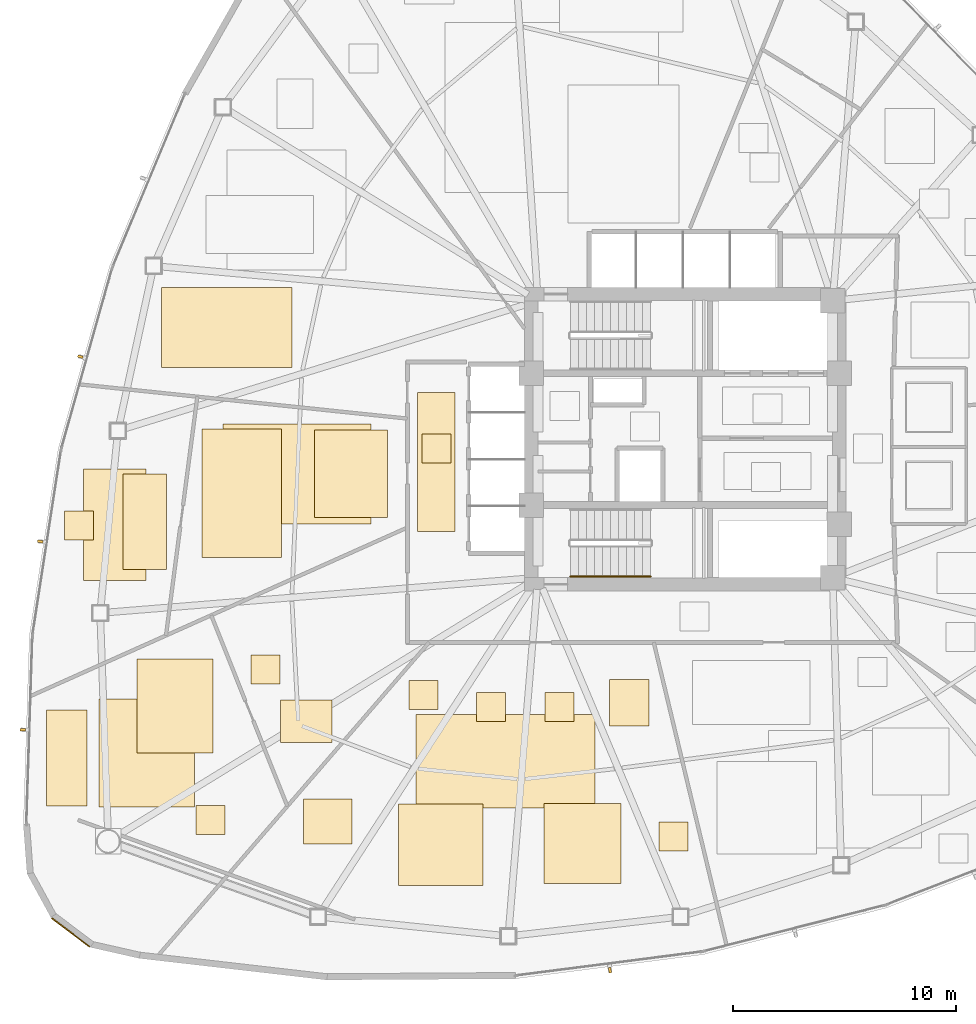
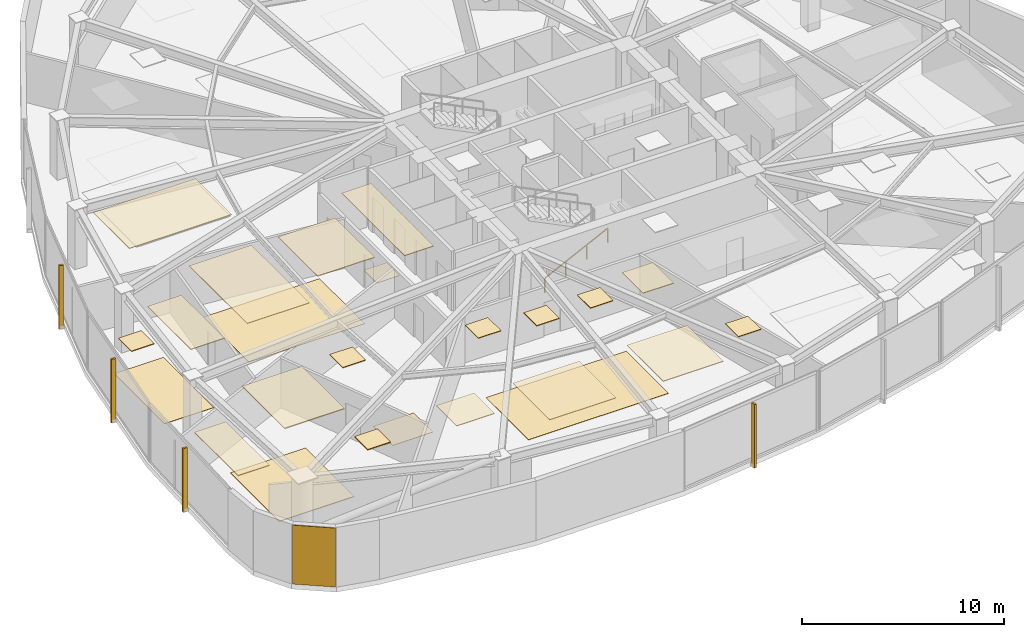
# One storey, part 14 of 17: 25 coverings, 4 shading devices, 1 railing.
"""IFC4 building model written with IfcOpenShell, lengths in metres."""

from ifc_helpers import new_model, si_unit, direction, frame, origin, origin_2d, place, context, subcontext, project, spatial, polyline, rectangle, outline, extrude, source, transform, mapped, material, layer, layer_set, type_object, type_shapes, element, save


model = new_model("IFC4")

# Units and contexts
model_context = context("Model", 3, precision=1e-05, world=origin(), true_north=direction((0.0, 1.0)))
body_context = subcontext(model_context, "Body", "Model", "MODEL_VIEW")
ifc_project = project(units=[si_unit("LENGTHUNIT", "METRE"), si_unit("AREAUNIT", "SQUARE_METRE"), si_unit("VOLUMEUNIT", "CUBIC_METRE"), si_unit("PLANEANGLEUNIT", "RADIAN"), si_unit("MASSUNIT", "GRAM", prefix="KILO")], contexts=[model_context])

# Site, building, storey
site_placement = place(None, origin())
site = spatial("IfcSite", under=ifc_project, at=site_placement, CompositionType="ELEMENT")
building_placement = place(site_placement, origin())
building = spatial("IfcBuilding", under=site, at=building_placement, Name="Tavelor Broadcast Tower", CompositionType="ELEMENT")
storey_placement = place(building_placement, frame((0.0, 0.0, 70.5)))
storey = spatial("IfcBuildingStorey", under=building, at=storey_placement, Name="L16", CompositionType="ELEMENT", Elevation=70.5)

# Covering
ifc_material_1 = material(Name="Copper-Bronze Anodized Aluminium", Category="aluminium")
ifc_layer_1 = layer(ifc_material_1, 0.050048828125)
ifc_layer_set_1 = layer_set([ifc_layer_1], Name="Copper-Bronze Anodized Aluminium")
covering_type_1 = type_object("IfcCoveringType", Name="Champagne-Bronze Corner Pier Metal Cladding 50 mm", PredefinedType="CLADDING", material=ifc_layer_set_1)
covering_1_placement = place(storey_placement, frame((22.474609375, 22.912109375, 0.02001953125), z_axis=(0.0, 0.0, 1.0), x_axis=(0.798110023334, -0.602511734868, 0.0)))
element("IfcCovering", 1, at=covering_1_placement, inside=storey, type_object=covering_type_1, Name="L16 Champagne-Bronze Corner Cladding 13", PredefinedType="CLADDING", context=body_context, shape_type="SweptSolid", body=[
    extrude(rectangle(XDim=2.1240234375, YDim=0.050048828125, at=origin_2d()), origin(), (0.0, 0.0, 1.0), 3.56005859375),
])

# Railing
ifc_material_2 = material(Name="Steel S355", Category="steel")
railing_type = type_object("IfcRailingType", Name="Continuous Brushed Stainless Handrail 900 mm", PredefinedType="HANDRAIL", material=ifc_material_2)
railing_placement = place(storey_placement, frame((44.85009765625, 38.85009765625, 0.17724609375)))
element("IfcRailing", 2, at=railing_placement, inside=storey, type_object=railing_type, Name="L16 ST2 stair handrail 1", PredefinedType="HANDRAIL", context=body_context, shape_type="SweptSolid", body=[
    extrude(rectangle(XDim=0.048095703125, YDim=0.048095703125, at=origin_2d()), frame((0.0, 0.0, 0.8759765625), z_axis=(0.897124305991, 0.0, 0.441778201817), x_axis=(0.0, 1.0, 0.0)), (0.0, 0.0, 1.0), 4.0126953125),
    extrude(rectangle(XDim=0.0419921875, YDim=0.0419921875, at=origin_2d()), origin(), (0.0, 0.0, 1.0), 0.851806640625),
    extrude(rectangle(XDim=0.0419921875, YDim=0.0419921875, at=origin_2d()), frame((1.199951171875, 0.0, 0.5908203125)), (0.0, 0.0, 1.0), 0.851806640625),
    extrude(rectangle(XDim=0.0419921875, YDim=0.0419921875, at=origin_2d()), frame((2.39990234375, 0.0, 1.181884765625)), (0.0, 0.0, 1.0), 0.851806640625),
    extrude(rectangle(XDim=0.0419921875, YDim=0.0419921875, at=origin_2d()), frame((3.599853515625, 0.0, 1.772705078125)), (0.0, 0.0, 1.0), 0.851806640625),
])

# Coverings
ifc_material_3 = material(Name="Architectural Anodized Aluminium", Category="aluminium")
ifc_layer_2 = layer(ifc_material_3, 0.034912109375)
ifc_layer_set_2 = layer_set([ifc_layer_2], Name="Architectural Anodized Aluminium")
covering_type_2 = type_object("IfcCoveringType", Name="Demountable Metal Tile Corridor Ceiling 35 mm", PredefinedType="CEILING", material=ifc_layer_set_2)
covering_2_placement = place(storey_placement, frame((0.0, 0.0, 3.56494140625)))
element("IfcCovering", 3, at=covering_2_placement, inside=storey, type_object=covering_type_2, Name="L16 Suspended Acoustic Ceiling 0642", PredefinedType="CEILING", context=body_context, shape_type="SweptSolid", body=[
    extrude(outline(polyline([(38.01611328125, 40.868896484375), (39.683837890625, 40.868896484375), (39.683837890625, 47.096923828125), (38.01611328125, 47.096923828125), (38.01611328125, 40.868896484375)])), origin(), (0.0, 0.0, 1.0), 0.03515625),
])
ifc_material_4 = material(Name="Acoustic Nylon Carpet Tile")
ifc_layer_3 = layer(ifc_material_4, 0.02001953125)
ifc_layer_set_3 = layer_set([ifc_layer_3], Name="Acoustic Nylon Carpet Tile")
covering_type_3 = type_object("IfcCoveringType", Name="Heavy-Duty Acoustic Broadcast Carpet Tile 20 mm", PredefinedType="FLOORING", material=ifc_layer_set_3)
covering_3_placement = place(storey_placement, origin())
element("IfcCovering", 4, at=covering_3_placement, inside=storey, type_object=covering_type_3, Name="L16 Broadcast Floor Finish 0222", PredefinedType="FLOORING", context=body_context, shape_type="SweptSolid", body=[
    extrude(outline(polyline([(38.199951171875, 43.925048828125), (39.5, 43.925048828125), (39.5, 45.22509765625), (38.199951171875, 45.22509765625), (38.199951171875, 43.925048828125)])), origin(), (0.0, 0.0, 1.0), 0.02001953125),
])
covering_4_placement = place(storey_placement, origin())
element("IfcCovering", 5, at=covering_4_placement, inside=storey, type_object=covering_type_3, Name="L16 Broadcast Floor Finish 0225", PredefinedType="FLOORING", context=body_context, shape_type="SweptSolid", body=[
    extrude(outline(polyline([(37.936279296875, 28.48291015625), (45.946533203125, 28.48291015625), (45.946533203125, 32.677001953125), (37.936279296875, 32.677001953125), (37.936279296875, 28.48291015625)])), origin(), (0.0, 0.0, 1.0), 0.02001953125),
])
covering_5_placement = place(storey_placement, origin())
element("IfcCovering", 6, at=covering_5_placement, inside=storey, type_object=covering_type_3, Name="L16 Broadcast Floor Finish 0227", PredefinedType="FLOORING", context=body_context, shape_type="SweptSolid", body=[
    extrude(outline(polyline([(23.038818359375, 38.671875), (25.849365234375, 38.671875), (25.849365234375, 43.66650390625), (23.038818359375, 43.66650390625), (23.038818359375, 38.671875)])), origin(), (0.0, 0.0, 1.0), 0.02001953125),
])
covering_6_placement = place(storey_placement, origin())
element("IfcCovering", 7, at=covering_6_placement, inside=storey, type_object=covering_type_3, Name="L16 Broadcast Floor Finish 0234", PredefinedType="FLOORING", context=body_context, shape_type="SweptSolid", body=[
    extrude(outline(polyline([(31.8720703125, 31.407958984375), (34.182373046875, 31.407958984375), (34.182373046875, 33.330322265625), (31.8720703125, 33.330322265625), (31.8720703125, 31.407958984375)])), origin(), (0.0, 0.0, 1.0), 0.02001953125),
])
covering_7_placement = place(storey_placement, origin())
element("IfcCovering", 8, at=covering_7_placement, inside=storey, type_object=covering_type_3, Name="L16 Broadcast Floor Finish 0235", PredefinedType="FLOORING", context=body_context, shape_type="SweptSolid", body=[
    extrude(outline(polyline([(29.3017578125, 41.197265625), (35.93359375, 41.197265625), (35.93359375, 45.68408203125), (29.3017578125, 45.68408203125), (29.3017578125, 41.197265625)])), origin(), (0.0, 0.0, 1.0), 0.02001953125),
])
ifc_material_5 = material(Name="Acoustic Hardwood Studio Flooring", Category="wood")
ifc_layer_4 = layer(ifc_material_5, 0.034912109375)
ifc_layer_set_4 = layer_set([ifc_layer_4], Name="Acoustic Hardwood Studio Flooring")
covering_type_4 = type_object("IfcCoveringType", Name="Isolated Studio Acoustic Elastomeric Floor Finish 35 mm", PredefinedType="FLOORING", material=ifc_layer_set_4)
covering_8_placement = place(storey_placement, origin())
element("IfcCovering", 9, at=covering_8_placement, inside=storey, type_object=covering_type_4, Name="L16 Broadcast Floor Finish 0226", PredefinedType="FLOORING", context=body_context, shape_type="SweptSolid", body=[
    extrude(outline(polyline([(23.736572265625, 28.535888671875), (28.026123046875, 28.535888671875), (28.026123046875, 33.35986328125), (23.736572265625, 33.35986328125), (23.736572265625, 28.535888671875)])), origin(), (0.0, 0.0, 1.0), 0.034912109375),
])
ifc_material_6 = material(Name="Acoustic Perforated Timber Baffle", Category="wood")
ifc_layer_5 = layer(ifc_material_6, 0.054931640625)
ifc_layer_set_5 = layer_set([ifc_layer_5], Name="Acoustic Perforated Timber Baffle")
covering_type_5 = type_object("IfcCoveringType", Name="Micro-Perforated Acoustic Baffle Studio Ceiling 55 mm", PredefinedType="CEILING", material=ifc_layer_set_5)
covering_9_placement = place(storey_placement, frame((0.0, 0.0, 3.544921875)))
element("IfcCovering", 10, at=covering_9_placement, inside=storey, type_object=covering_type_5, Name="L16 Suspended Acoustic Ceiling 0653", PredefinedType="CEILING", context=body_context, shape_type="SweptSolid", body=[
    extrude(outline(polyline([(21.402099609375, 28.566650390625), (23.202880859375, 28.566650390625), (23.202880859375, 32.8828125), (21.402099609375, 32.8828125), (21.402099609375, 28.566650390625)])), origin(), (0.0, 0.0, 1.0), 0.05517578125),
])
covering_10_placement = place(storey_placement, frame((0.0, 0.0, 3.544921875)))
element("IfcCovering", 11, at=covering_10_placement, inside=storey, type_object=covering_type_5, Name="L16 Suspended Acoustic Ceiling 0654", PredefinedType="CEILING", context=body_context, shape_type="SweptSolid", body=[
    extrude(outline(polyline([(25.435546875, 30.94287109375), (28.85498046875, 30.94287109375), (28.85498046875, 35.146484375), (25.435546875, 35.146484375), (25.435546875, 30.94287109375)])), origin(), (0.0, 0.0, 1.0), 0.05517578125),
])
covering_11_placement = place(storey_placement, frame((0.0, 0.0, 3.544921875)))
element("IfcCovering", 12, at=covering_11_placement, inside=storey, type_object=covering_type_5, Name="L16 Suspended Acoustic Ceiling 0655", PredefinedType="CEILING", context=body_context, shape_type="SweptSolid", body=[
    extrude(outline(polyline([(28.07861328125, 27.29931640625), (29.37841796875, 27.29931640625), (29.37841796875, 28.59912109375), (28.07861328125, 28.59912109375), (28.07861328125, 27.29931640625)])), origin(), (0.0, 0.0, 1.0), 0.05517578125),
])
ifc_material_7 = material(Name="Acoustic Mineral Fibre Tile")
ifc_layer_6 = layer(ifc_material_7, 0.0400390625)
ifc_layer_set_6 = layer_set([ifc_layer_6], Name="Acoustic Mineral Fibre Tile")
covering_type_6 = type_object("IfcCoveringType", Name="Suspended Acoustic Mineral-Fibre Office Ceiling 40 mm", PredefinedType="CEILING", material=ifc_layer_set_6)
covering_12_placement = place(storey_placement, frame((0.0, 0.0, 3.56005859375)))
element("IfcCovering", 13, at=covering_12_placement, inside=storey, type_object=covering_type_6, Name="L16 Suspended Acoustic Ceiling 0645", PredefinedType="CEILING", context=body_context, shape_type="SweptSolid", body=[
    extrude(outline(polyline([(32.90576171875, 26.869873046875), (35.0625, 26.869873046875), (35.0625, 28.89208984375), (32.90576171875, 28.89208984375), (32.90576171875, 26.869873046875)])), origin(), (0.0, 0.0, 1.0), 0.0400390625),
])
covering_13_placement = place(storey_placement, frame((0.0, 0.0, 3.56005859375)))
element("IfcCovering", 14, at=covering_13_placement, inside=storey, type_object=covering_type_6, Name="L16 Suspended Acoustic Ceiling 0646", PredefinedType="CEILING", context=body_context, shape_type="SweptSolid", body=[
    extrude(outline(polyline([(37.61572265625, 32.88720703125), (38.915771484375, 32.88720703125), (38.915771484375, 34.187255859375), (37.61572265625, 34.187255859375), (37.61572265625, 32.88720703125)])), origin(), (0.0, 0.0, 1.0), 0.0400390625),
])
covering_14_placement = place(storey_placement, frame((0.0, 0.0, 3.56005859375)))
element("IfcCovering", 15, at=covering_14_placement, inside=storey, type_object=covering_type_6, Name="L16 Suspended Acoustic Ceiling 0647", PredefinedType="CEILING", context=body_context, shape_type="SweptSolid", body=[
    extrude(outline(polyline([(40.65380859375, 32.362548828125), (41.95361328125, 32.362548828125), (41.95361328125, 33.66259765625), (40.65380859375, 33.66259765625), (40.65380859375, 32.362548828125)])), origin(), (0.0, 0.0, 1.0), 0.0400390625),
])
covering_15_placement = place(storey_placement, frame((0.0, 0.0, 3.56005859375)))
element("IfcCovering", 16, at=covering_15_placement, inside=storey, type_object=covering_type_6, Name="L16 Suspended Acoustic Ceiling 0648", PredefinedType="CEILING", context=body_context, shape_type="SweptSolid", body=[
    extrude(outline(polyline([(43.7197265625, 32.3623046875), (45.019775390625, 32.3623046875), (45.019775390625, 33.662353515625), (43.7197265625, 33.662353515625), (43.7197265625, 32.3623046875)])), origin(), (0.0, 0.0, 1.0), 0.0400390625),
])
covering_16_placement = place(storey_placement, frame((0.0, 0.0, 3.56005859375)))
element("IfcCovering", 17, at=covering_16_placement, inside=storey, type_object=covering_type_6, Name="L16 Suspended Acoustic Ceiling 0649", PredefinedType="CEILING", context=body_context, shape_type="SweptSolid", body=[
    extrude(outline(polyline([(46.609130859375, 32.1669921875), (48.36865234375, 32.1669921875), (48.36865234375, 34.22900390625), (46.609130859375, 34.22900390625), (46.609130859375, 32.1669921875)])), origin(), (0.0, 0.0, 1.0), 0.0400390625),
])
covering_17_placement = place(storey_placement, frame((0.0, 0.0, 3.56005859375)))
element("IfcCovering", 18, at=covering_17_placement, inside=storey, type_object=covering_type_6, Name="L16 Suspended Acoustic Ceiling 0650", PredefinedType="CEILING", context=body_context, shape_type="SweptSolid", body=[
    extrude(outline(polyline([(48.818359375, 26.5595703125), (50.118408203125, 26.5595703125), (50.118408203125, 27.859619140625), (48.818359375, 27.859619140625), (48.818359375, 26.5595703125)])), origin(), (0.0, 0.0, 1.0), 0.0400390625),
])
covering_18_placement = place(storey_placement, frame((0.0, 0.0, 3.56005859375)))
element("IfcCovering", 19, at=covering_18_placement, inside=storey, type_object=covering_type_6, Name="L16 Suspended Acoustic Ceiling 0651", PredefinedType="CEILING", context=body_context, shape_type="SweptSolid", body=[
    extrude(outline(polyline([(37.154052734375, 25.02197265625), (40.943603515625, 25.02197265625), (40.943603515625, 28.668701171875), (37.154052734375, 28.668701171875), (37.154052734375, 25.02197265625)])), origin(), (0.0, 0.0, 1.0), 0.0400390625),
])
covering_19_placement = place(storey_placement, frame((0.0, 0.0, 3.56005859375)))
element("IfcCovering", 20, at=covering_19_placement, inside=storey, type_object=covering_type_6, Name="L16 Suspended Acoustic Ceiling 0652", PredefinedType="CEILING", context=body_context, shape_type="SweptSolid", body=[
    extrude(outline(polyline([(43.6826171875, 25.096435546875), (47.12646484375, 25.096435546875), (47.12646484375, 28.68408203125), (43.6826171875, 28.68408203125), (43.6826171875, 25.096435546875)])), origin(), (0.0, 0.0, 1.0), 0.0400390625),
])
covering_20_placement = place(storey_placement, frame((0.0, 0.0, 3.56005859375)))
element("IfcCovering", 21, at=covering_20_placement, inside=storey, type_object=covering_type_6, Name="L16 Suspended Acoustic Ceiling 0656", PredefinedType="CEILING", context=body_context, shape_type="SweptSolid", body=[
    extrude(outline(polyline([(22.196533203125, 40.487548828125), (23.49658203125, 40.487548828125), (23.49658203125, 41.78759765625), (22.196533203125, 41.78759765625), (22.196533203125, 40.487548828125)])), origin(), (0.0, 0.0, 1.0), 0.0400390625),
])
covering_21_placement = place(storey_placement, frame((0.0, 0.0, 3.56005859375)))
element("IfcCovering", 22, at=covering_21_placement, inside=storey, type_object=covering_type_6, Name="L16 Suspended Acoustic Ceiling 0657", PredefinedType="CEILING", context=body_context, shape_type="SweptSolid", body=[
    extrude(outline(polyline([(24.81982421875, 39.155517578125), (26.755615234375, 39.155517578125), (26.755615234375, 43.441650390625), (24.81982421875, 43.441650390625), (24.81982421875, 39.155517578125)])), origin(), (0.0, 0.0, 1.0), 0.0400390625),
])
covering_22_placement = place(storey_placement, frame((0.0, 0.0, 3.56005859375)))
element("IfcCovering", 23, at=covering_22_placement, inside=storey, type_object=covering_type_6, Name="L16 Suspended Acoustic Ceiling 0659", PredefinedType="CEILING", context=body_context, shape_type="SweptSolid", body=[
    extrude(outline(polyline([(26.541748046875, 48.2177734375), (32.390625, 48.2177734375), (32.390625, 51.80078125), (26.541748046875, 51.80078125), (26.541748046875, 48.2177734375)])), origin(), (0.0, 0.0, 1.0), 0.0400390625),
])
covering_23_placement = place(storey_placement, frame((0.0, 0.0, 3.56005859375)))
element("IfcCovering", 24, at=covering_23_placement, inside=storey, type_object=covering_type_6, Name="L16 Suspended Acoustic Ceiling 0682", PredefinedType="CEILING", context=body_context, shape_type="SweptSolid", body=[
    extrude(outline(polyline([(30.544921875, 34.039794921875), (31.844970703125, 34.039794921875), (31.844970703125, 35.33984375), (30.544921875, 35.33984375), (30.544921875, 34.039794921875)])), origin(), (0.0, 0.0, 1.0), 0.0400390625),
])
covering_24_placement = place(storey_placement, frame((0.0, 0.0, 3.56005859375)))
element("IfcCovering", 25, at=covering_24_placement, inside=storey, type_object=covering_type_6, Name="L16 Suspended Acoustic Ceiling 0683", PredefinedType="CEILING", context=body_context, shape_type="SweptSolid", body=[
    extrude(outline(polyline([(28.34814453125, 39.698486328125), (31.909423828125, 39.698486328125), (31.909423828125, 45.446044921875), (28.34814453125, 45.446044921875), (28.34814453125, 39.698486328125)])), origin(), (0.0, 0.0, 1.0), 0.0400390625),
])
covering_25_placement = place(storey_placement, frame((0.0, 0.0, 3.56005859375)))
element("IfcCovering", 26, at=covering_25_placement, inside=storey, type_object=covering_type_6, Name="L16 Suspended Acoustic Ceiling 0684", PredefinedType="CEILING", context=body_context, shape_type="SweptSolid", body=[
    extrude(outline(polyline([(33.404296875, 41.492431640625), (36.668212890625, 41.492431640625), (36.668212890625, 45.4091796875), (33.404296875, 45.4091796875), (33.404296875, 41.492431640625)])), origin(), (0.0, 0.0, 1.0), 0.0400390625),
])

# Shading devices
ifc_material_8 = material(Name="Kiln-Fired Glazed Terracotta", Category="masonry")
shading_device_type = type_object("IfcShadingDeviceType", Name="Extruded Terracotta Baguette Sun-Screen 110x240", PredefinedType="JALOUSIE", material=ifc_material_8)
shared_shape = source(origin(), body_context, "Body", "SweptSolid", [
    extrude(rectangle(XDim=0.110107421875, YDim=0.239990234375, at=origin_2d()), origin(), (0.0, 0.0, 1.0), 3.840087890625),
])
type_shapes(shading_device_type, [shared_shape])
for number, where, z_axis, x_axis, name in (
    (27, (22.906005859375, 48.697265625, -0.26025390625), (0.0, 0.0, 1.0), (-0.271104473079, -0.962549928407, 0.0), "L16 Terracotta Baguette Fin 146"),
    (28, (21.10888671875, 40.420654296875, -0.26025390625), (0.0, 0.0, 1.0), (-0.152468380166, -0.988308349175, 0.0), "L16 Terracotta Baguette Fin 147"),
    (29, (20.326904296875, 31.9873046875, -0.26025390625), (0.0, 0.0, 1.0), (-0.031759650765, -0.999495535049, 0.0), "L16 Terracotta Baguette Fin 148"),
    (30, (46.62548828125, 21.218017578125, -0.26025390625), (0.0, 0.0, 1.0), (0.991850028246, 0.12741083733, 0.0), "L16 Terracotta Baguette Fin 149"),
):
    element("IfcShadingDevice", number, at=place(storey_placement, frame(where, z_axis=z_axis, x_axis=x_axis)), inside=storey, type_object=shading_device_type, Name=name, PredefinedType="JALOUSIE", context=body_context, shape_type="MappedRepresentation", body=[
        mapped(shared_shape, transform((0.0, 0.0, 0.0), scale=1.0)),
    ])

save(model, "model.ifc")
